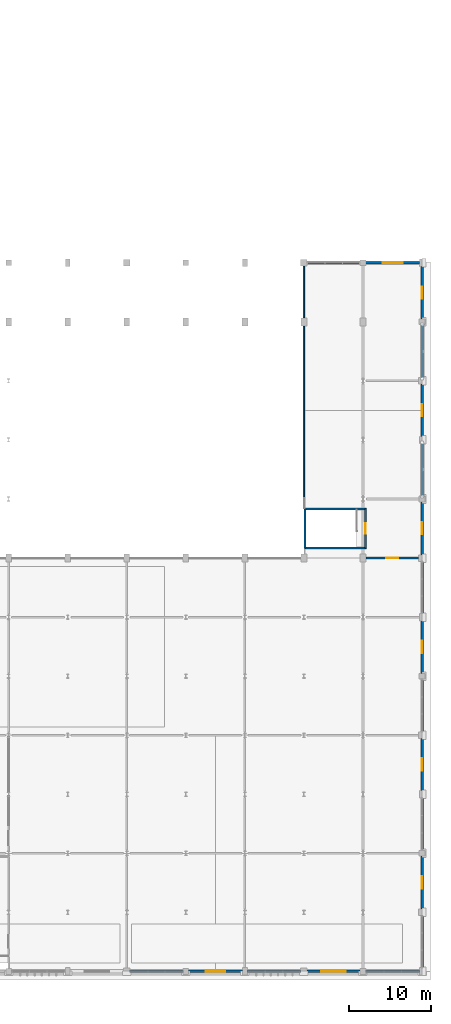
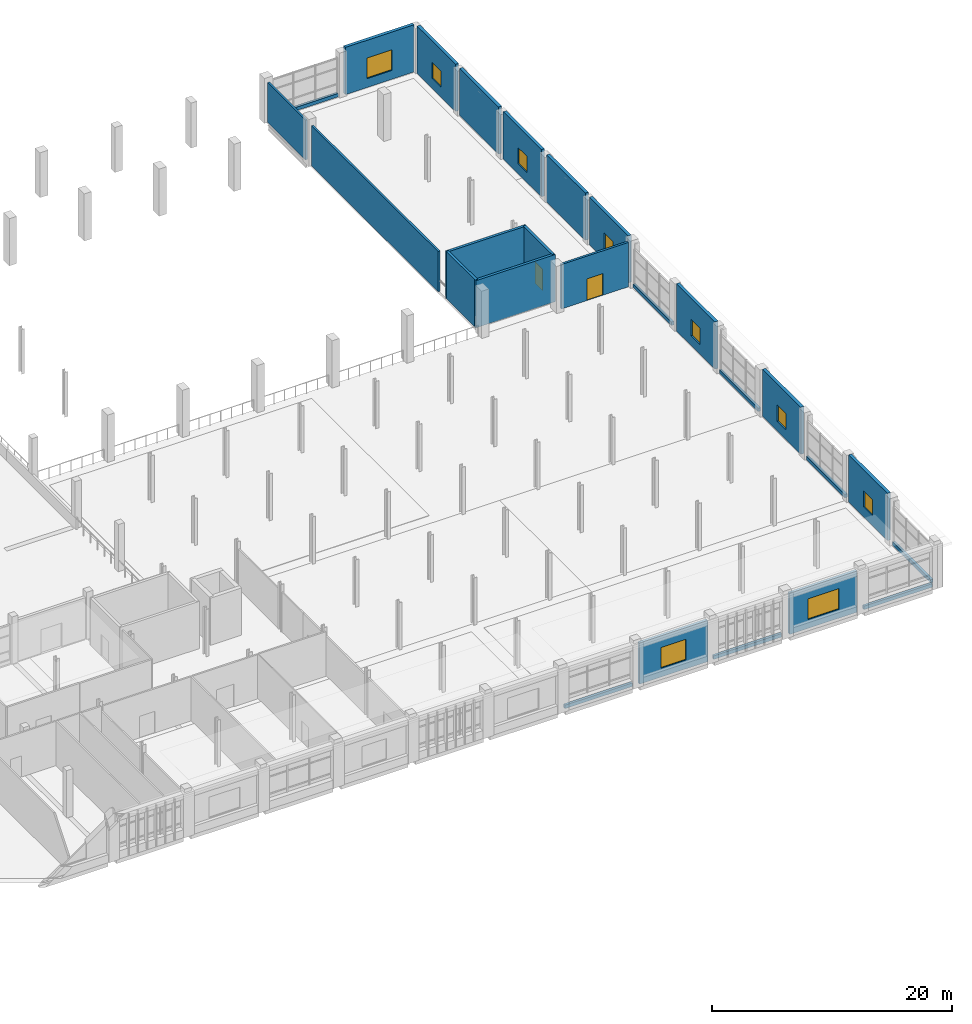
# One storey, part 64 of 82: 26 walls, 9 windows, 2 doors, 11 openings.
"""IFC4 building model written with IfcOpenShell, lengths in metres."""

from ifc_helpers import new_model, si_unit, direction, frame, frame_2d, origin, place, context, subcontext, project, spatial, rectangle, extrude, material, layer, layer_set, type_object, element, fill, save


model = new_model("IFC4")

# Units and contexts
model_context = context("Model", 3, precision=1e-05, world=origin(), true_north=direction((0.0, 1.0)))
body_context = subcontext(model_context, "Body", "Model", "MODEL_VIEW")
ifc_project = project(units=[si_unit("LENGTHUNIT", "METRE"), si_unit("AREAUNIT", "SQUARE_METRE"), si_unit("VOLUMEUNIT", "CUBIC_METRE"), si_unit("PLANEANGLEUNIT", "RADIAN"), si_unit("MASSUNIT", "GRAM", prefix="KILO")], contexts=[model_context])

# Site, building, storey
site_placement = place(None, origin())
site = spatial("IfcSite", under=ifc_project, at=site_placement, CompositionType="ELEMENT")
building_placement = place(site_placement, origin())
building = spatial("IfcBuilding", under=site, at=building_placement, Name="Sardonyx Promenade Sports Hall", CompositionType="ELEMENT")
storey_placement = place(building_placement, frame((0.0, 0.0, 11.199951171875)))
storey = spatial("IfcBuildingStorey", under=building, at=storey_placement, Name="L02", CompositionType="ELEMENT", Elevation=11.199951171875)

# Wall, opening, window
ifc_material_1 = material(Name="Concrete C40/50", Category="concrete")
ifc_layer_1 = layer(ifc_material_1, 0.300048828125)
ifc_layer_set_1 = layer_set([ifc_layer_1], Name="Wall_Ext_Hall_300")
wall_type_1 = type_object("IfcWallType", Name="Wall_Ext_Hall_300", PredefinedType="SOLIDWALL", material=ifc_layer_set_1)
wall_1_placement = place(storey_placement, frame((165.60009765625, 85.965087890625, 0.0), z_axis=(0.0, 0.0, 1.0), x_axis=(0.0, -1.0, 0.0)))
wall_1 = element("IfcWall", 1, at=wall_1_placement, inside=storey, type_object=wall_type_1, Name="Exterior wall EW04 L02 #116", PredefinedType="SOLIDWALL", context=body_context, shape_type="SweptSolid", body=[
    extrude(rectangle(XDim=6.43017578125, YDim=0.300048828125, at=frame_2d((3.215087890625, 0.0))), origin(), (0.0, 0.0, 1.0), 4.800048828125),
])
opening_1_placement = place(wall_1_placement, frame((2.465087890625, 0.0, 1.0)))
opening_1 = element("IfcOpeningElement", 2, at=opening_1_placement, cuts=wall_1, Name="Opening W08", PredefinedType="OPENING", context=body_context, shape_type="SweptSolid", body=[
    extrude(rectangle(XDim=1.5, YDim=1.64990234375, at=frame_2d((0.75, 0.824951171875))), frame((0.0, 0.16, 0.0), z_axis=(0.0, -1.0, 0.0), x_axis=(1.0, 0.0, 0.0)), (0.0, 0.0, 1.0), 0.32),
])
ifc_material_2 = material(Name="Double-glazed solar low-E aluminium window", Category="aluminium")
window_type_1 = type_object("IfcWindowType", Name="Win_Office_150x165", PartitioningType="SINGLE_PANEL", PredefinedType="WINDOW", material=ifc_material_2)
window_1_placement = place(opening_1_placement, origin())
window_1 = element("IfcWindow", 3, at=window_1_placement, inside=storey, type_object=window_type_1, Name="Facade window W08 L02 #49", OverallHeight=1.64990234375, OverallWidth=1.5, PartitioningType="SINGLE_PANEL", PredefinedType="WINDOW", context=body_context, shape_type="SweptSolid", body=[
    extrude(rectangle(XDim=1.5, YDim=1.64990234375, at=frame_2d((0.75, 0.824951171875))), frame((0.0, 0.030029296875, 0.0), z_axis=(0.0, -1.0, 0.0), x_axis=(1.0, 0.0, 0.0)), (0.0, 0.0, 1.0), 0.06005859375),
])
fill(opening_1, window_1)

# Wall
wall_2_placement = place(storey_placement, frame((165.60009765625, 78.864990234375, 0.0), z_axis=(0.0, 0.0, 1.0), x_axis=(0.0, -1.0, 0.0)))
element("IfcWall", 4, at=wall_2_placement, inside=storey, type_object=wall_type_1, Name="Exterior wall EW04 L02 #117", PredefinedType="SOLIDWALL", context=body_context, shape_type="SweptSolid", body=[
    extrude(rectangle(XDim=6.47998046875, YDim=0.300048828125, at=frame_2d((3.239990234375, 0.0))), origin(), (0.0, 0.0, 1.0), 4.800048828125),
])

# Wall, opening, window
wall_3_placement = place(storey_placement, frame((165.60009765625, 71.614990234375, 0.0), z_axis=(0.0, 0.0, 1.0), x_axis=(0.0, -1.0, 0.0)))
wall_3 = element("IfcWall", 5, at=wall_3_placement, inside=storey, type_object=wall_type_1, Name="Exterior wall EW04 L02 #118", PredefinedType="SOLIDWALL", context=body_context, shape_type="SweptSolid", body=[
    extrude(rectangle(XDim=6.3798828125, YDim=0.300048828125, at=frame_2d((3.18994140625, 0.0))), origin(), (0.0, 0.0, 1.0), 4.800048828125),
])
opening_2_placement = place(wall_3_placement, frame((2.43994140625, 0.0, 1.0)))
opening_2 = element("IfcOpeningElement", 6, at=opening_2_placement, cuts=wall_3, Name="Opening W08", PredefinedType="OPENING", context=body_context, shape_type="SweptSolid", body=[
    extrude(rectangle(XDim=1.5, YDim=1.64990234375, at=frame_2d((0.75, 0.824951171875))), frame((0.0, 0.16, 0.0), z_axis=(0.0, -1.0, 0.0), x_axis=(1.0, 0.0, 0.0)), (0.0, 0.0, 1.0), 0.32),
])
window_2_placement = place(opening_2_placement, origin())
window_2 = element("IfcWindow", 7, at=window_2_placement, inside=storey, type_object=window_type_1, Name="Facade window W08 L02 #50", OverallHeight=1.64990234375, OverallWidth=1.5, PartitioningType="SINGLE_PANEL", PredefinedType="WINDOW", context=body_context, shape_type="SweptSolid", body=[
    extrude(rectangle(XDim=1.5, YDim=1.64990234375, at=frame_2d((0.75, 0.824951171875))), frame((0.0, 0.030029296875, 0.0), z_axis=(0.0, -1.0, 0.0), x_axis=(1.0, 0.0, 0.0)), (0.0, 0.0, 1.0), 0.06005859375),
])
fill(opening_2, window_2)

# Wall
wall_4_placement = place(storey_placement, frame((165.60009765625, 64.364990234375, 0.0), z_axis=(0.0, 0.0, 1.0), x_axis=(0.0, -1.0, 0.0)))
element("IfcWall", 8, at=wall_4_placement, inside=storey, type_object=wall_type_1, Name="Exterior wall EW04 L02 #119", PredefinedType="SOLIDWALL", context=body_context, shape_type="SweptSolid", body=[
    extrude(rectangle(XDim=6.429931640625, YDim=0.300048828125, at=frame_2d((3.21484375, 0.0))), origin(), (0.0, 0.0, 1.0), 4.800048828125),
])

# Wall, opening, window
wall_5_placement = place(storey_placement, frame((165.60009765625, 57.264892578125, 0.0), z_axis=(0.0, 0.0, 1.0), x_axis=(0.0, -1.0, 0.0)))
wall_5 = element("IfcWall", 9, at=wall_5_placement, inside=storey, type_object=wall_type_1, Name="Exterior wall EW04 L02 #120", PredefinedType="SOLIDWALL", context=body_context, shape_type="SweptSolid", body=[
    extrude(rectangle(XDim=6.47998046875, YDim=0.300048828125, at=frame_2d((3.239990234375, 0.0))), origin(), (0.0, 0.0, 1.0), 4.800048828125),
])
opening_3_placement = place(wall_5_placement, frame((2.489990234375, 0.0, 1.0)))
opening_3 = element("IfcOpeningElement", 10, at=opening_3_placement, cuts=wall_5, Name="Opening W08", PredefinedType="OPENING", context=body_context, shape_type="SweptSolid", body=[
    extrude(rectangle(XDim=1.5, YDim=1.64990234375, at=frame_2d((0.75, 0.824951171875))), frame((0.0, 0.16, 0.0), z_axis=(0.0, -1.0, 0.0), x_axis=(1.0, 0.0, 0.0)), (0.0, 0.0, 1.0), 0.32),
])
window_3_placement = place(opening_3_placement, origin())
window_3 = element("IfcWindow", 11, at=window_3_placement, inside=storey, type_object=window_type_1, Name="Facade window W08 L02 #51", OverallHeight=1.64990234375, OverallWidth=1.5, PartitioningType="SINGLE_PANEL", PredefinedType="WINDOW", context=body_context, shape_type="SweptSolid", body=[
    extrude(rectangle(XDim=1.5, YDim=1.64990234375, at=frame_2d((0.75, 0.824951171875))), frame((0.0, 0.030029296875, 0.0), z_axis=(0.0, -1.0, 0.0), x_axis=(1.0, 0.0, 0.0)), (0.0, 0.0, 1.0), 0.06005859375),
])
fill(opening_3, window_3)

wall_6_placement = place(storey_placement, frame((165.60009765625, 42.764892578125, 0.0), z_axis=(0.0, 0.0, 1.0), x_axis=(0.0, -1.0, 0.0)))
wall_6 = element("IfcWall", 12, at=wall_6_placement, inside=storey, type_object=wall_type_1, Name="Exterior wall EW04 L02 #122", PredefinedType="SOLIDWALL", context=body_context, shape_type="SweptSolid", body=[
    extrude(rectangle(XDim=6.429931640625, YDim=0.300048828125, at=frame_2d((3.21484375, 0.0))), origin(), (0.0, 0.0, 1.0), 4.800048828125),
])
opening_4_placement = place(wall_6_placement, frame((2.465087890625, 0.0, 1.0)))
opening_4 = element("IfcOpeningElement", 13, at=opening_4_placement, cuts=wall_6, Name="Opening W08", PredefinedType="OPENING", context=body_context, shape_type="SweptSolid", body=[
    extrude(rectangle(XDim=1.5, YDim=1.64990234375, at=frame_2d((0.75, 0.824951171875))), frame((0.0, 0.16, 0.0), z_axis=(0.0, -1.0, 0.0), x_axis=(1.0, 0.0, 0.0)), (0.0, 0.0, 1.0), 0.32),
])
window_4_placement = place(opening_4_placement, origin())
window_4 = element("IfcWindow", 14, at=window_4_placement, inside=storey, type_object=window_type_1, Name="Facade window W08 L02 #52", OverallHeight=1.64990234375, OverallWidth=1.5, PartitioningType="SINGLE_PANEL", PredefinedType="WINDOW", context=body_context, shape_type="SweptSolid", body=[
    extrude(rectangle(XDim=1.5, YDim=1.64990234375, at=frame_2d((0.75, 0.824951171875))), frame((0.0, 0.030029296875, 0.0), z_axis=(0.0, -1.0, 0.0), x_axis=(1.0, 0.0, 0.0)), (0.0, 0.0, 1.0), 0.06005859375),
])
fill(opening_4, window_4)

wall_7_placement = place(storey_placement, frame((165.60009765625, 28.4150390625, 0.0), z_axis=(0.0, 0.0, 1.0), x_axis=(0.0, -1.0, 0.0)))
wall_7 = element("IfcWall", 15, at=wall_7_placement, inside=storey, type_object=wall_type_1, Name="Exterior wall EW04 L02 #124", PredefinedType="SOLIDWALL", context=body_context, shape_type="SweptSolid", body=[
    extrude(rectangle(XDim=6.380126953125, YDim=0.300048828125, at=frame_2d((3.18994140625, 0.0))), origin(), (0.0, 0.0, 1.0), 4.800048828125),
])
opening_5_placement = place(wall_7_placement, frame((2.43994140625, 0.0, 1.0)))
opening_5 = element("IfcOpeningElement", 16, at=opening_5_placement, cuts=wall_7, Name="Opening W08", PredefinedType="OPENING", context=body_context, shape_type="SweptSolid", body=[
    extrude(rectangle(XDim=1.5, YDim=1.64990234375, at=frame_2d((0.75, 0.824951171875))), frame((0.0, 0.16, 0.0), z_axis=(0.0, -1.0, 0.0), x_axis=(1.0, 0.0, 0.0)), (0.0, 0.0, 1.0), 0.32),
])
window_5_placement = place(opening_5_placement, origin())
window_5 = element("IfcWindow", 17, at=window_5_placement, inside=storey, type_object=window_type_1, Name="Facade window W08 L02 #53", OverallHeight=1.64990234375, OverallWidth=1.5, PartitioningType="SINGLE_PANEL", PredefinedType="WINDOW", context=body_context, shape_type="SweptSolid", body=[
    extrude(rectangle(XDim=1.5, YDim=1.64990234375, at=frame_2d((0.75, 0.824951171875))), frame((0.0, 0.030029296875, 0.0), z_axis=(0.0, -1.0, 0.0), x_axis=(1.0, 0.0, 0.0)), (0.0, 0.0, 1.0), 0.06005859375),
])
fill(opening_5, window_5)

wall_8_placement = place(storey_placement, frame((165.60009765625, 14.06494140625, 0.0), z_axis=(0.0, 0.0, 1.0), x_axis=(0.0, -1.0, 0.0)))
wall_8 = element("IfcWall", 18, at=wall_8_placement, inside=storey, type_object=wall_type_1, Name="Exterior wall EW04 L02 #126", PredefinedType="SOLIDWALL", context=body_context, shape_type="SweptSolid", body=[
    extrude(rectangle(XDim=6.47998046875, YDim=0.300048828125, at=frame_2d((3.239990234375, 0.0))), origin(), (0.0, 0.0, 1.0), 4.800048828125),
])
opening_6_placement = place(wall_8_placement, frame((2.489990234375, 0.0, 1.0)))
opening_6 = element("IfcOpeningElement", 19, at=opening_6_placement, cuts=wall_8, Name="Opening W08", PredefinedType="OPENING", context=body_context, shape_type="SweptSolid", body=[
    extrude(rectangle(XDim=1.5, YDim=1.64990234375, at=frame_2d((0.75, 0.824951171875))), frame((0.0, 0.16, 0.0), z_axis=(0.0, -1.0, 0.0), x_axis=(1.0, 0.0, 0.0)), (0.0, 0.0, 1.0), 0.32),
])
window_6_placement = place(opening_6_placement, origin())
window_6 = element("IfcWindow", 20, at=window_6_placement, inside=storey, type_object=window_type_1, Name="Facade window W08 L02 #54", OverallHeight=1.64990234375, OverallWidth=1.5, PartitioningType="SINGLE_PANEL", PredefinedType="WINDOW", context=body_context, shape_type="SweptSolid", body=[
    extrude(rectangle(XDim=1.5, YDim=1.64990234375, at=frame_2d((0.75, 0.824951171875))), frame((0.0, 0.030029296875, 0.0), z_axis=(0.0, -1.0, 0.0), x_axis=(1.0, 0.0, 0.0)), (0.0, 0.0, 1.0), 0.06005859375),
])
fill(opening_6, window_6)

wall_9_placement = place(storey_placement, frame((158.735107421875, 86.39990234375, 0.0), z_axis=(0.0, 0.0, 1.0), x_axis=(1.0, 0.0, 0.0)))
wall_9 = element("IfcWall", 21, at=wall_9_placement, inside=storey, type_object=wall_type_1, Name="Exterior wall EW04 L02 #203", PredefinedType="SOLIDWALL", context=body_context, shape_type="SweptSolid", body=[
    extrude(rectangle(XDim=6.579833984375, YDim=0.300048828125, at=frame_2d((3.2900390625, 0.0))), origin(), (0.0, 0.0, 1.0), 4.800048828125),
])
opening_7_placement = place(wall_9_placement, frame((2.090087890625, 0.0, 0.89990234375)))
opening_7 = element("IfcOpeningElement", 22, at=opening_7_placement, cuts=wall_9, Name="Opening W16", PredefinedType="OPENING", context=body_context, shape_type="SweptSolid", body=[
    extrude(rectangle(XDim=2.39990234375, YDim=2.10009765625, at=frame_2d((1.199951171875, 1.050048828125))), frame((0.0, 0.16, 0.0), z_axis=(0.0, -1.0, 0.0), x_axis=(1.0, 0.0, 0.0)), (0.0, 0.0, 1.0), 0.32),
])
ifc_material_3 = material(Name="Double-glazed solar low-E aluminium window", Category="aluminium")
window_type_2 = type_object("IfcWindowType", Name="Win_Studio_240x210", PartitioningType="DOUBLE_PANEL_VERTICAL", PredefinedType="WINDOW", material=ifc_material_3)
window_7_placement = place(opening_7_placement, origin())
window_7 = element("IfcWindow", 23, at=window_7_placement, inside=storey, type_object=window_type_2, Name="Facade window W16 L02 #80", OverallHeight=2.10009765625, OverallWidth=2.39990234375, PartitioningType="SINGLE_PANEL", PredefinedType="WINDOW", context=body_context, shape_type="SweptSolid", body=[
    extrude(rectangle(XDim=2.39990234375, YDim=2.10009765625, at=frame_2d((1.199951171875, 1.050048828125))), frame((0.0, 0.030029296875, 0.0), z_axis=(0.0, -1.0, 0.0), x_axis=(1.0, 0.0, 0.0)), (0.0, 0.0, 1.0), 0.06005859375),
])
fill(opening_7, window_7)

# Walls
ifc_material_4 = material(Name="Masonry CMU 15 MPa", Category="masonry")
ifc_layer_2 = layer(ifc_material_4, 0.239990234375)
ifc_layer_set_2 = layer_set([ifc_layer_2], Name="Wall_Ext_Spandrel_240")
wall_type_2 = type_object("IfcWallType", Name="Wall_Ext_Spandrel_240", PredefinedType="SOLIDWALL", material=ifc_layer_set_2)
wall_10_placement = place(storey_placement, frame((165.31494140625, 0.0, 0.0), z_axis=(0.0, 0.0, 1.0), x_axis=(-1.0, 0.0, 0.0)))
element("IfcWall", 24, at=wall_10_placement, inside=storey, type_object=wall_type_2, Name="Curtain-wall sill spandrel L02 #54", PredefinedType="SOLIDWALL", context=body_context, shape_type="SweptSolid", body=[
    extrude(rectangle(XDim=6.579833984375, YDim=0.239990234375, at=frame_2d((3.2900390625, 0.0))), origin(), (0.0, 0.0, 1.0), 0.35009765625),
])
wall_11_placement = place(storey_placement, frame((150.81494140625, 0.0, 0.0), z_axis=(0.0, 0.0, 1.0), x_axis=(-1.0, 0.0, 0.0)))
element("IfcWall", 25, at=wall_11_placement, inside=storey, type_object=wall_type_2, Name="Curtain-wall sill spandrel L02 #56", PredefinedType="SOLIDWALL", context=body_context, shape_type="SweptSolid", body=[
    extrude(rectangle(XDim=6.530029296875, YDim=0.239990234375, at=frame_2d((3.26513671875, 0.0))), origin(), (0.0, 0.0, 1.0), 0.35009765625),
])
wall_12_placement = place(storey_placement, frame((136.465087890625, 0.0, 0.0), z_axis=(0.0, 0.0, 1.0), x_axis=(-1.0, 0.0, 0.0)))
element("IfcWall", 26, at=wall_12_placement, inside=storey, type_object=wall_type_2, Name="Curtain-wall sill spandrel L02 #58", PredefinedType="SOLIDWALL", context=body_context, shape_type="SweptSolid", body=[
    extrude(rectangle(XDim=6.47998046875, YDim=0.239990234375, at=frame_2d((3.239990234375, 0.0))), origin(), (0.0, 0.0, 1.0), 0.35009765625),
])
wall_13_placement = place(storey_placement, frame((165.60009765625, 50.014892578125, 0.0), z_axis=(0.0, 0.0, 1.0), x_axis=(0.0, -1.0, 0.0)))
element("IfcWall", 27, at=wall_13_placement, inside=storey, type_object=wall_type_2, Name="Curtain-wall sill spandrel L02 #121", PredefinedType="SOLIDWALL", context=body_context, shape_type="SweptSolid", body=[
    extrude(rectangle(XDim=6.3798828125, YDim=0.239990234375, at=frame_2d((3.18994140625, 0.0))), origin(), (0.0, 0.0, 1.0), 0.35009765625),
])
wall_14_placement = place(storey_placement, frame((165.60009765625, 35.6650390625, 0.0), z_axis=(0.0, 0.0, 1.0), x_axis=(0.0, -1.0, 0.0)))
element("IfcWall", 28, at=wall_14_placement, inside=storey, type_object=wall_type_2, Name="Curtain-wall sill spandrel L02 #123", PredefinedType="SOLIDWALL", context=body_context, shape_type="SweptSolid", body=[
    extrude(rectangle(XDim=6.47998046875, YDim=0.239990234375, at=frame_2d((3.239990234375, 0.0))), origin(), (0.0, 0.0, 1.0), 0.35009765625),
])
wall_15_placement = place(storey_placement, frame((165.60009765625, 21.1650390625, 0.0), z_axis=(0.0, 0.0, 1.0), x_axis=(0.0, -1.0, 0.0)))
element("IfcWall", 29, at=wall_15_placement, inside=storey, type_object=wall_type_2, Name="Curtain-wall sill spandrel L02 #125", PredefinedType="SOLIDWALL", context=body_context, shape_type="SweptSolid", body=[
    extrude(rectangle(XDim=6.429931640625, YDim=0.239990234375, at=frame_2d((3.21484375, 0.0))), origin(), (0.0, 0.0, 1.0), 0.35009765625),
])
wall_16_placement = place(storey_placement, frame((165.60009765625, 6.81494140625, 0.0), z_axis=(0.0, 0.0, 1.0), x_axis=(0.0, -1.0, 0.0)))
element("IfcWall", 30, at=wall_16_placement, inside=storey, type_object=wall_type_2, Name="Curtain-wall sill spandrel L02 #127", PredefinedType="SOLIDWALL", context=body_context, shape_type="SweptSolid", body=[
    extrude(rectangle(XDim=6.3798828125, YDim=0.239990234375, at=frame_2d((3.18994140625, 0.0))), origin(), (0.0, 0.0, 1.0), 0.35009765625),
])
wall_17_placement = place(storey_placement, frame((151.5849609375, 86.39990234375, 0.0), z_axis=(0.0, 0.0, 1.0), x_axis=(1.0, 0.0, 0.0)))
element("IfcWall", 31, at=wall_17_placement, inside=storey, type_object=wall_type_2, Name="Curtain-wall sill spandrel L02 #202", PredefinedType="SOLIDWALL", context=body_context, shape_type="SweptSolid", body=[
    extrude(rectangle(XDim=6.47998046875, YDim=0.239990234375, at=frame_2d((3.239990234375, 0.0))), origin(), (0.0, 0.0, 1.0), 0.35009765625),
])

# Wall, opening, window
ifc_material_5 = material(Name="Concrete C40/50", Category="concrete")
ifc_layer_3 = layer(ifc_material_5, 0.280029296875)
ifc_layer_set_3 = layer_set([ifc_layer_3], Name="Wall_Ext_Wing_280")
wall_type_3 = type_object("IfcWallType", Name="Wall_Ext_Wing_280", PredefinedType="SOLIDWALL", material=ifc_layer_set_3)
wall_18_placement = place(storey_placement, frame((158.06494140625, 0.0, 0.0), z_axis=(0.0, 0.0, 1.0), x_axis=(-1.0, 0.0, 0.0)))
wall_18 = element("IfcWall", 32, at=wall_18_placement, inside=storey, type_object=wall_type_3, Name="Exterior wall EW02 L02 #55", PredefinedType="SOLIDWALL", context=body_context, shape_type="SweptSolid", body=[
    extrude(rectangle(XDim=6.47998046875, YDim=0.280029296875, at=frame_2d((3.239990234375, 0.0))), origin(), (0.0, 0.0, 1.0), 4.18505859375),
])
opening_8_placement = place(wall_18_placement, frame((1.739990234375, 0.0, 0.89990234375)))
opening_8 = element("IfcOpeningElement", 33, at=opening_8_placement, cuts=wall_18, Name="Opening W21", PredefinedType="OPENING", context=body_context, shape_type="SweptSolid", body=[
    extrude(rectangle(XDim=3.0, YDim=2.10009765625, at=frame_2d((1.5, 1.050048828125))), frame((0.0, 0.15, 0.0), z_axis=(0.0, -1.0, 0.0), x_axis=(1.0, 0.0, 0.0)), (0.0, 0.0, 1.0), 0.3),
])
ifc_material_6 = material(Name="Double-glazed solar low-E aluminium window", Category="aluminium")
window_type_3 = type_object("IfcWindowType", Name="Win_Studio_300x210", PartitioningType="DOUBLE_PANEL_VERTICAL", PredefinedType="WINDOW", material=ifc_material_6)
window_8_placement = place(opening_8_placement, origin())
window_8 = element("IfcWindow", 34, at=window_8_placement, inside=storey, type_object=window_type_3, Name="Facade window W21 L02 #20", OverallHeight=2.10009765625, OverallWidth=3.0, PartitioningType="SINGLE_PANEL", PredefinedType="WINDOW", context=body_context, shape_type="SweptSolid", body=[
    extrude(rectangle(XDim=3.0, YDim=2.10009765625, at=frame_2d((1.5, 1.050048828125))), frame((0.0, 0.030029296875, 0.0), z_axis=(0.0, -1.0, 0.0), x_axis=(1.0, 0.0, 0.0)), (0.0, 0.0, 1.0), 0.06005859375),
])
fill(opening_8, window_8)

wall_19_placement = place(storey_placement, frame((143.715087890625, 0.0, 0.0), z_axis=(0.0, 0.0, 1.0), x_axis=(-1.0, 0.0, 0.0)))
wall_19 = element("IfcWall", 35, at=wall_19_placement, inside=storey, type_object=wall_type_3, Name="Exterior wall EW02 L02 #57", PredefinedType="SOLIDWALL", context=body_context, shape_type="SweptSolid", body=[
    extrude(rectangle(XDim=6.580078125, YDim=0.280029296875, at=frame_2d((3.2900390625, 0.0))), origin(), (0.0, 0.0, 1.0), 4.18505859375),
])
opening_9_placement = place(wall_19_placement, frame((2.090087890625, 0.0, 0.89990234375)))
opening_9 = element("IfcOpeningElement", 36, at=opening_9_placement, cuts=wall_19, Name="Opening W16", PredefinedType="OPENING", context=body_context, shape_type="SweptSolid", body=[
    extrude(rectangle(XDim=2.39990234375, YDim=2.10009765625, at=frame_2d((1.199951171875, 1.050048828125))), frame((0.0, 0.15, 0.0), z_axis=(0.0, -1.0, 0.0), x_axis=(1.0, 0.0, 0.0)), (0.0, 0.0, 1.0), 0.3),
])
window_9_placement = place(opening_9_placement, origin())
window_9 = element("IfcWindow", 37, at=window_9_placement, inside=storey, type_object=window_type_2, Name="Facade window W16 L02 #21", OverallHeight=2.10009765625, OverallWidth=2.39990234375, PartitioningType="SINGLE_PANEL", PredefinedType="WINDOW", context=body_context, shape_type="SweptSolid", body=[
    extrude(rectangle(XDim=2.39990234375, YDim=2.10009765625, at=frame_2d((1.199951171875, 1.050048828125))), frame((0.0, 0.030029296875, 0.0), z_axis=(0.0, -1.0, 0.0), x_axis=(1.0, 0.0, 0.0)), (0.0, 0.0, 1.0), 0.06005859375),
])
fill(opening_9, window_9)

# Walls
ifc_material_7 = material(Name="Masonry CMU 15 MPa", Category="masonry")
ifc_layer_4 = layer(ifc_material_7, 0.18994140625)
ifc_layer_set_4 = layer_set([ifc_layer_4], Name="Wall_Part_Block_190")
wall_type_4 = type_object("IfcWallType", Name="Wall_Part_Block_190", PredefinedType="PARTITIONING", material=ifc_layer_set_4)
wall_20_placement = place(storey_placement, frame((151.199951171875, 57.60009765625, 0.0), z_axis=(0.0, 0.0, 1.0), x_axis=(0.0, 1.0, 0.0)))
element("IfcWall", 38, at=wall_20_placement, inside=storey, type_object=wall_type_4, Name="Interior partition PW03 L02 #358", PredefinedType="PARTITIONING", context=body_context, shape_type="SweptSolid", body=[
    extrude(rectangle(XDim=21.099853515625, YDim=0.18994140625, at=frame_2d((10.5498046875, 0.0))), origin(), (0.0, 0.0, 1.0), 4.09130859375),
])
wall_21_placement = place(storey_placement, frame((151.199951171875, 79.699951171875, 0.0), z_axis=(0.0, 0.0, 1.0), x_axis=(0.0, 1.0, 0.0)))
element("IfcWall", 39, at=wall_21_placement, inside=storey, type_object=wall_type_4, Name="Interior partition PW03 L02 #359", PredefinedType="PARTITIONING", context=body_context, shape_type="SweptSolid", body=[
    extrude(rectangle(XDim=6.300048828125, YDim=0.18994140625, at=frame_2d((3.14990234375, 0.0))), origin(), (0.0, 0.0, 1.0), 4.050048828125),
])

# Wall, opening, door
ifc_material_8 = material(Name="Masonry CMU 15 MPa", Category="masonry")
ifc_layer_5 = layer(ifc_material_8, 0.2099609375)
ifc_layer_set_5 = layer_set([ifc_layer_5], Name="Wall_Part_Block_210")
wall_type_5 = type_object("IfcWallType", Name="Wall_Part_Block_210", PredefinedType="PARTITIONING", material=ifc_layer_set_5)
wall_22_placement = place(storey_placement, frame((158.75, 50.39990234375, 0.0), z_axis=(0.0, 0.0, 1.0), x_axis=(1.0, 0.0, 0.0)))
wall_22 = element("IfcWall", 40, at=wall_22_placement, inside=storey, type_object=wall_type_5, Name="Interior partition PW07 L02 #360", PredefinedType="PARTITIONING", context=body_context, shape_type="SweptSolid", body=[
    extrude(rectangle(XDim=6.449951171875, YDim=0.2099609375, at=frame_2d((3.22509765625, 0.0))), origin(), (0.0, 0.0, 1.0), 4.52001953125),
])
opening_10_placement = place(wall_22_placement, frame((2.47509765625, 0.0, 0.0)))
opening_10 = element("IfcOpeningElement", 41, at=opening_10_placement, cuts=wall_22, Name="Opening ID10", PredefinedType="OPENING", context=body_context, shape_type="SweptSolid", body=[
    extrude(rectangle(XDim=1.5, YDim=2.199951171875, at=frame_2d((0.75, 1.10009765625))), frame((0.0, 0.115, 0.0), z_axis=(0.0, -1.0, 0.0), x_axis=(1.0, 0.0, 0.0)), (0.0, 0.0, 1.0), 0.23),
])
ifc_material_9 = material(Name="Double studio entrance fire door FD30S", Category="wood")
door_type_1 = type_object("IfcDoorType", Name="Door_Corr_FD30_150x220", OperationType="NOTDEFINED", PredefinedType="DOOR", material=ifc_material_9)
door_1_placement = place(opening_10_placement, origin())
door_1 = element("IfcDoor", 42, at=door_1_placement, inside=storey, type_object=door_type_1, Name="Interior door D02-116", OperationType="DOUBLE_DOOR_SINGLE_SWING", OverallHeight=2.199951171875, OverallWidth=1.5, PredefinedType="DOOR", context=body_context, shape_type="SweptSolid", body=[
    extrude(rectangle(XDim=1.5, YDim=2.199951171875, at=frame_2d((0.75, 1.10009765625))), frame((0.0, 0.02490234375, 0.0), z_axis=(0.0, -1.0, 0.0), x_axis=(1.0, 0.0, 0.0)), (0.0, 0.0, 1.0), 0.050048828125),
])
fill(opening_10, door_1)

ifc_material_10 = material(Name="Concrete C40/50", Category="concrete")
ifc_layer_6 = layer(ifc_material_10, 0.25)
ifc_layer_set_6 = layer_set([ifc_layer_6], Name="Wall_Stair_Shear_250")
wall_type_6 = type_object("IfcWallType", Name="Wall_Stair_Shear_250", PredefinedType="SHEAR", material=ifc_layer_set_6)
wall_23_placement = place(storey_placement, frame((158.72509765625, 56.39990234375, 0.0), z_axis=(0.0, 0.0, 1.0), x_axis=(0.0, -1.0, 0.0)))
wall_23 = element("IfcWall", 43, at=wall_23_placement, inside=storey, type_object=wall_type_6, Name="Stair shaft wall ST8 L02 entry", PredefinedType="SHEAR", context=body_context, shape_type="SweptSolid", body=[
    extrude(rectangle(XDim=4.7998046875, YDim=0.25, at=frame_2d((2.39990234375, 0.0))), origin(), (0.0, 0.0, 1.0), 4.800048828125),
])
opening_11_placement = place(wall_23_placement, frame((1.77490234375, 0.0, 0.0)))
opening_11 = element("IfcOpeningElement", 44, at=opening_11_placement, cuts=wall_23, Name="Opening ID13", PredefinedType="OPENING", context=body_context, shape_type="SweptSolid", body=[
    extrude(rectangle(XDim=1.25, YDim=2.199951171875, at=frame_2d((0.625, 1.10009765625))), frame((0.0, 0.135, 0.0), z_axis=(0.0, -1.0, 0.0), x_axis=(1.0, 0.0, 0.0)), (0.0, 0.0, 1.0), 0.27),
])
ifc_material_11 = material(Name="Solid-core hardwood fire door FD60S", Category="wood")
door_type_2 = type_object("IfcDoorType", Name="Door_Stair_FD60_125x220", OperationType="NOTDEFINED", PredefinedType="DOOR", material=ifc_material_11)
door_2_placement = place(opening_11_placement, origin())
door_2 = element("IfcDoor", 45, at=door_2_placement, inside=storey, type_object=door_type_2, Name="Protected stair door SD38 (ST8 L02)", OperationType="SINGLE_SWING_RIGHT", OverallHeight=2.199951171875, OverallWidth=1.25, PredefinedType="DOOR", context=body_context, shape_type="SweptSolid", body=[
    extrude(rectangle(XDim=1.25, YDim=2.199951171875, at=frame_2d((0.625, 1.10009765625))), frame((0.0, 0.02490234375, 0.0), z_axis=(0.0, -1.0, 0.0), x_axis=(1.0, 0.0, 0.0)), (0.0, 0.0, 1.0), 0.050048828125),
])
fill(opening_11, door_2)

# Walls
wall_24_placement = place(storey_placement, frame((158.85009765625, 51.60009765625, 0.0), z_axis=(0.0, 0.0, 1.0), x_axis=(-1.0, 0.0, 0.0)))
element("IfcWall", 46, at=wall_24_placement, inside=storey, type_object=wall_type_6, Name="Stair shaft wall ST8 L02 N", PredefinedType="SHEAR", context=body_context, shape_type="SweptSolid", body=[
    extrude(rectangle(XDim=7.650146484375, YDim=0.25, at=frame_2d((3.8251953125, 0.0))), origin(), (0.0, 0.0, 1.0), 4.800048828125),
])
wall_25_placement = place(storey_placement, frame((151.324951171875, 51.60009765625, 0.0), z_axis=(0.0, 0.0, 1.0), x_axis=(0.0, 1.0, 0.0)))
element("IfcWall", 47, at=wall_25_placement, inside=storey, type_object=wall_type_6, Name="Stair shaft wall ST8 L02 E", PredefinedType="SHEAR", context=body_context, shape_type="SweptSolid", body=[
    extrude(rectangle(XDim=4.7998046875, YDim=0.25, at=frame_2d((2.39990234375, 0.0))), origin(), (0.0, 0.0, 1.0), 4.800048828125),
])
wall_26_placement = place(storey_placement, frame((151.199951171875, 56.39990234375, 0.0), z_axis=(0.0, 0.0, 1.0), x_axis=(1.0, 0.0, 0.0)))
element("IfcWall", 48, at=wall_26_placement, inside=storey, type_object=wall_type_6, Name="Stair shaft wall ST8 L02 S", PredefinedType="SHEAR", context=body_context, shape_type="SweptSolid", body=[
    extrude(rectangle(XDim=7.650146484375, YDim=0.25, at=frame_2d((3.8251953125, 0.0))), origin(), (0.0, 0.0, 1.0), 4.800048828125),
])

save(model, "model.ifc")
